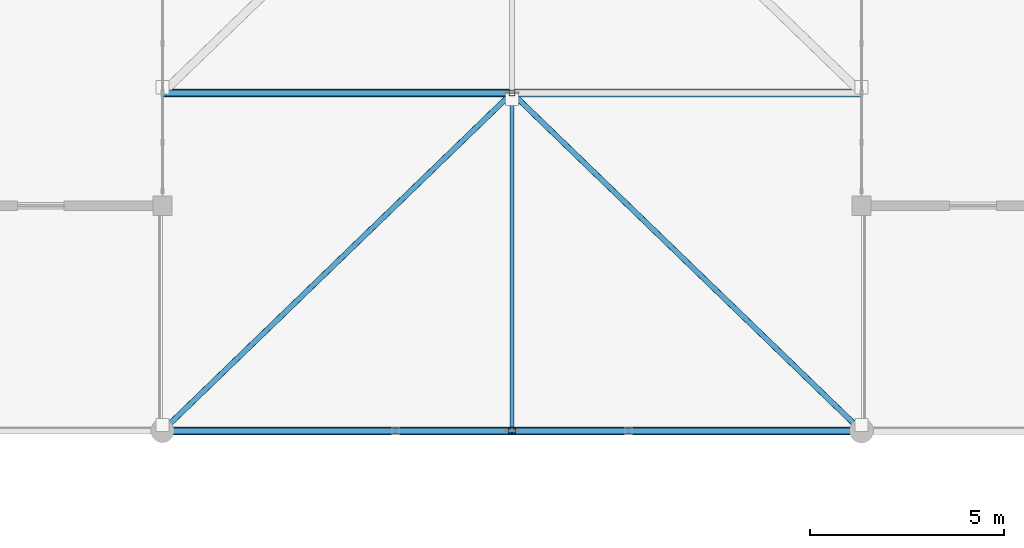
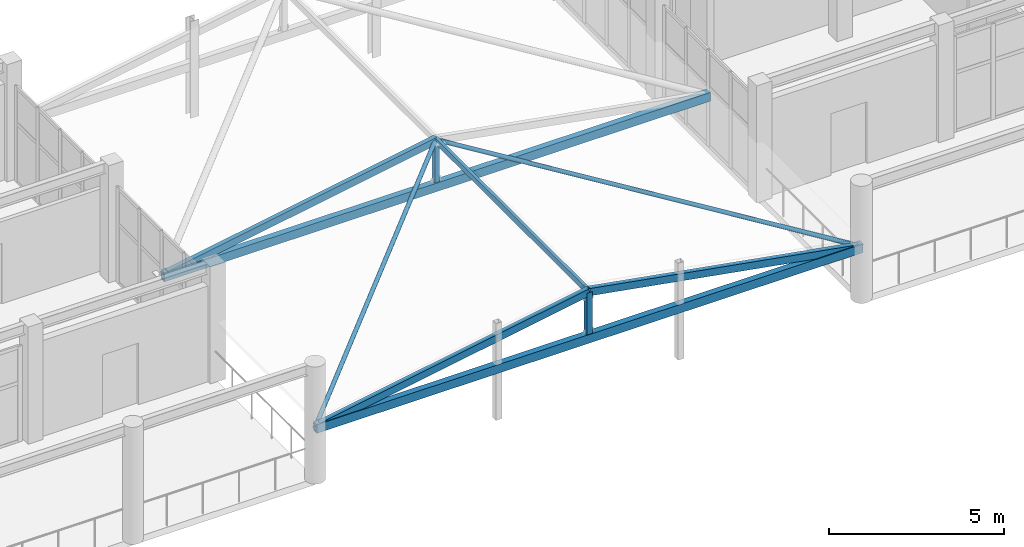
# One storey, part 16 of 128: 10 members.
"""IFC4 building model written with IfcOpenShell, lengths in metres."""

from ifc_helpers import new_model, si_unit, direction, frame, origin, origin_2d, place, context, subcontext, project, spatial, hollow_rectangle, hollow_circle, extrude, material, material_profile, profile_set, type_object, element, save


model = new_model("IFC4")

# Units and contexts
model_context = context("Model", 3, precision=1e-05, world=origin(), true_north=direction((0.0, 1.0)))
body_context = subcontext(model_context, "Body", "Model", "MODEL_VIEW")
ifc_project = project(units=[si_unit("LENGTHUNIT", "METRE"), si_unit("AREAUNIT", "SQUARE_METRE"), si_unit("VOLUMEUNIT", "CUBIC_METRE"), si_unit("PLANEANGLEUNIT", "RADIAN"), si_unit("MASSUNIT", "GRAM", prefix="KILO")], contexts=[model_context])

# Site, building, storey
site_placement = place(None, origin())
site = spatial("IfcSite", under=ifc_project, at=site_placement, CompositionType="ELEMENT")
building_placement = place(site_placement, origin())
building = spatial("IfcBuilding", under=site, at=building_placement, Name="Tanwirah Colonnade Gardens", CompositionType="ELEMENT")
storey_placement = place(building_placement, frame((0.0, 0.0, 4.760009765625)))
storey = spatial("IfcBuildingStorey", under=building, at=storey_placement, Name="L01", CompositionType="ELEMENT", Elevation=4.760009765625)

# Members
ifc_material = material(Name="Steel S355", Category="steel")
ifc_material_profile_1 = material_profile(ifc_material, hollow_circle(Radius=0.06982421875, WallThickness=0.008056640625, at=origin_2d()), Name="CHS 139.7x8")
ifc_profile_set_1 = profile_set([ifc_material_profile_1], Name="Steel S355")
member_type_1 = type_object("IfcMemberType", Name="BRC-CHS140", PredefinedType="BRACE", material=ifc_profile_set_1)
for number, where, z_axis, x_axis, name in (
    (1, (84.0, 10.800048828125, 1.77001953125), (0.713188918614, 0.689412085362, 0.126777533194), (-0.695020080363, 0.718990325312, 0.0), "Canopy Wind Brace W-1"),
    (2, (102.0, 10.800048828125, 1.77001953125), (-0.713188918614, 0.689412085362, 0.126777533194), (-0.695020080363, -0.718990325312, 0.0), "Canopy Wind Brace E-1"),
):
    element("IfcMember", number, at=place(storey_placement, frame(where, z_axis=z_axis, x_axis=x_axis)), inside=storey, type_object=member_type_1, Name=name, PredefinedType="BRACE", context=body_context, shape_type="SweptSolid", body=[
        extrude(hollow_circle(Radius=0.06982421875, WallThickness=0.008056640625, at=origin_2d()), origin(), (0.0, 0.0, 1.0), 12.619384765625),
    ])
ifc_material_profile_2 = material_profile(ifc_material, hollow_rectangle(XDim=0.199951171875, YDim=0.300048828125, WallThickness=0.010009765625, at=origin_2d()), Name="RHS 300x200x10")
ifc_profile_set_2 = profile_set([ifc_material_profile_2], Name="Steel S355")
member_type_2 = type_object("IfcMemberType", Name="CHD-RHS300", PredefinedType="CHORD", material=ifc_profile_set_2)
for number, where, z_axis, x_axis, name in (
    (3, (84.0, 10.800048828125, 1.77001953125), (1.0, 0.0, 0.0), (0.0, 1.0, 0.0), "Canopy Tie Chord 0"),
    (4, (84.0, 19.5, 1.77001953125), (1.0, 0.0, 0.0), (0.0, 1.0, 0.0), "Canopy Tie Chord 1"),
):
    element("IfcMember", number, at=place(storey_placement, frame(where, z_axis=z_axis, x_axis=x_axis)), inside=storey, type_object=member_type_2, Name=name, PredefinedType="CHORD", context=body_context, shape_type="SweptSolid", body=[
        extrude(hollow_rectangle(XDim=0.199951171875, YDim=0.300048828125, WallThickness=0.010009765625, at=origin_2d()), origin(), (0.0, 0.0, 1.0), 18.0),
    ])
ifc_material_profile_3 = material_profile(ifc_material, hollow_rectangle(XDim=0.10009765625, YDim=0.199951171875, WallThickness=0.008056640625, at=origin_2d()), Name="RHS 200x100x8")
ifc_profile_set_3 = profile_set([ifc_material_profile_3], Name="Steel S355")
member_type_3 = type_object("IfcMemberType", Name="PRL-RHS200", PredefinedType="PURLIN", material=ifc_profile_set_3)
member_1_placement = place(storey_placement, frame((93.0, 10.800048828125, 3.369873046875), z_axis=(0.0, 1.0, 0.0), x_axis=(-1.0, 0.0, 0.0)))
element("IfcMember", 5, at=member_1_placement, inside=storey, type_object=member_type_3, Name="Canopy Ridge Purlin 1", PredefinedType="PURLIN", context=body_context, shape_type="SweptSolid", body=[
    extrude(hollow_rectangle(XDim=0.10009765625, YDim=0.199951171875, WallThickness=0.008056640625, at=origin_2d()), origin(), (0.0, 0.0, 1.0), 8.699951171875),
])
ifc_material_profile_4 = material_profile(ifc_material, hollow_rectangle(XDim=0.14990234375, YDim=0.25, WallThickness=0.010009765625, at=origin_2d()), Name="RHS 250x150x10")
ifc_profile_set_4 = profile_set([ifc_material_profile_4], Name="Steel S355")
member_type_4 = type_object("IfcMemberType", Name="RFT-RHS250", PredefinedType="RAFTER", material=ifc_profile_set_4)
for number, where, z_axis, x_axis, name in (
    (6, (84.0, 10.800048828125, 1.77001953125), (0.984565269242, 0.0, 0.175017800818), (0.0, 1.0, 0.0), "Canopy West Rafter 0"),
    (7, (93.0, 10.800048828125, 3.369873046875), (0.984565269242, 0.0, -0.175017800818), (0.0, 1.0, 0.0), "Canopy East Rafter 0"),
    (8, (84.0, 19.5, 1.77001953125), (0.984565269242, 0.0, 0.175017800818), (0.0, 1.0, 0.0), "Canopy West Rafter 1"),
):
    element("IfcMember", number, at=place(storey_placement, frame(where, z_axis=z_axis, x_axis=x_axis)), inside=storey, type_object=member_type_4, Name=name, PredefinedType="RAFTER", context=body_context, shape_type="SweptSolid", body=[
        extrude(hollow_rectangle(XDim=0.14990234375, YDim=0.25, WallThickness=0.010009765625, at=origin_2d()), origin(), (0.0, 0.0, 1.0), 9.14111328125),
    ])
ifc_material_profile_5 = material_profile(ifc_material, hollow_rectangle(XDim=0.14990234375, YDim=0.14990234375, WallThickness=0.010009765625, at=origin_2d()), Name="SHS 150x150x10")
ifc_profile_set_5 = profile_set([ifc_material_profile_5], Name="Steel S355")
member_type_5 = type_object("IfcMemberType", Name="STR-SHS150", PredefinedType="STRUT", material=ifc_profile_set_5)
member_2_placement = place(storey_placement, frame((93.0, 19.5, 1.77001953125), z_axis=(0.0, 0.0, 1.0), x_axis=(1.0, 0.0, 0.0)))
element("IfcMember", 9, at=member_2_placement, inside=storey, type_object=member_type_5, Name="Canopy King-Post Strut 1", PredefinedType="STRUT", context=body_context, shape_type="SweptSolid", body=[
    extrude(hollow_rectangle(XDim=0.14990234375, YDim=0.14990234375, WallThickness=0.010009765625, at=origin_2d()), origin(), (0.0, 0.0, 1.0), 1.599853515625),
])
ifc_material_profile_6 = material_profile(ifc_material, hollow_rectangle(XDim=0.179931640625, YDim=0.179931640625, WallThickness=0.010009765625, at=origin_2d()), Name="SHS 180x180x10")
ifc_profile_set_6 = profile_set([ifc_material_profile_6], Name="Steel S355")
member_type_6 = type_object("IfcMemberType", Name="STR-SHS180", PredefinedType="STRUT", material=ifc_profile_set_6)
member_3_placement = place(storey_placement, frame((93.0, 10.800048828125, 1.77001953125), z_axis=(0.0, 0.0, 1.0), x_axis=(1.0, 0.0, 0.0)))
element("IfcMember", 10, at=member_3_placement, inside=storey, type_object=member_type_6, Name="Canopy King-Post Strut 0", PredefinedType="STRUT", context=body_context, shape_type="SweptSolid", body=[
    extrude(hollow_rectangle(XDim=0.179931640625, YDim=0.179931640625, WallThickness=0.010009765625, at=origin_2d()), origin(), (0.0, 0.0, 1.0), 1.599853515625),
])

save(model, "model.ifc")
